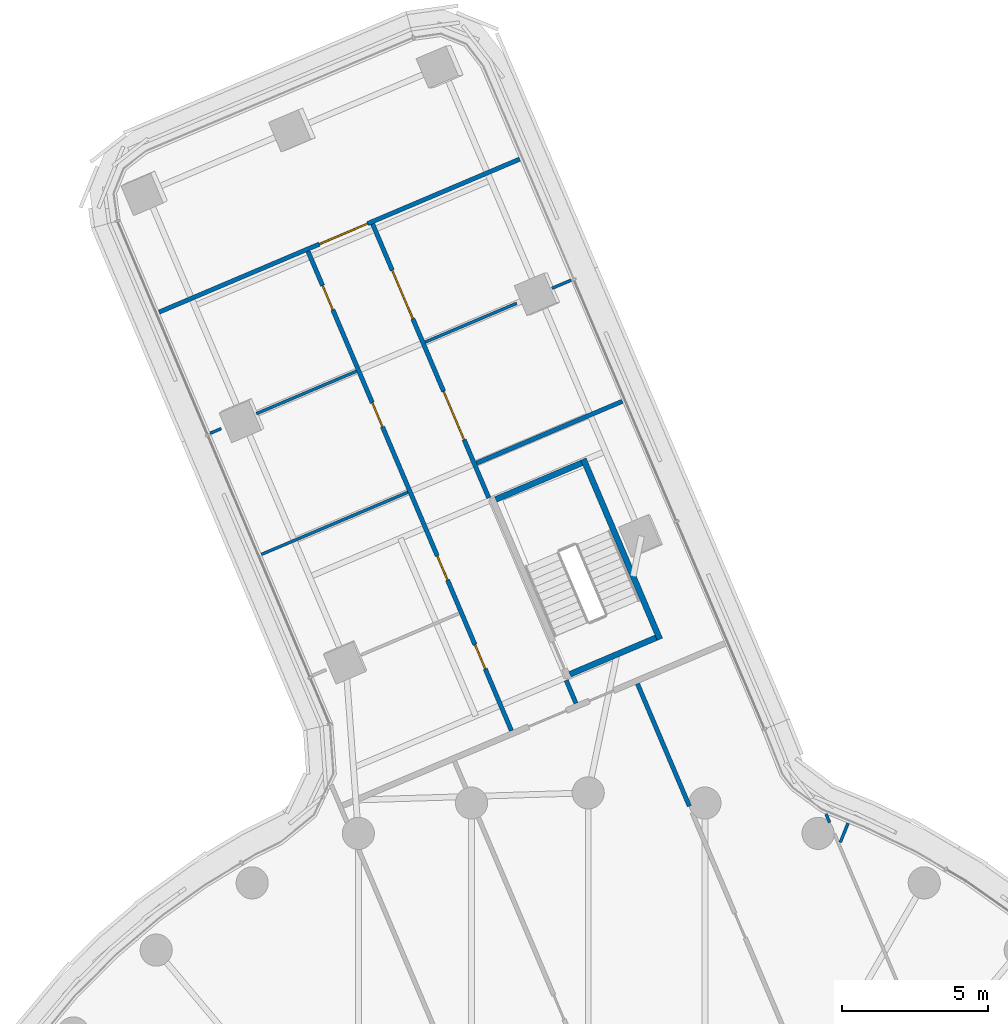
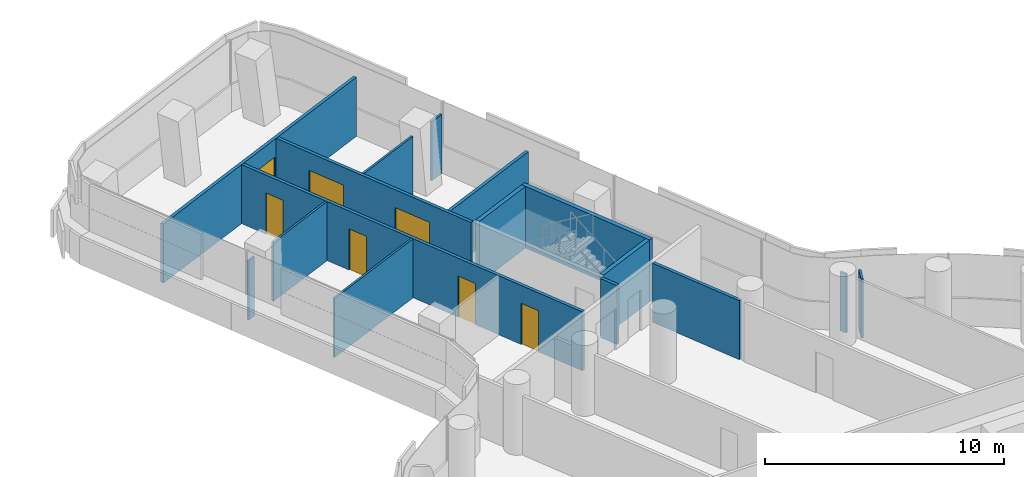
# One storey, part 26 of 35: 16 walls, 7 doors, 7 openings.
"""IFC4 building model written with IfcOpenShell, lengths in metres."""

from ifc_helpers import new_model, si_unit, direction, frame, frame_2d, origin, place, context, subcontext, project, spatial, polyline, rectangle, outline, extrude, material, layer, layer_set, type_object, element, fill, save


model = new_model("IFC4")

# Units and contexts
model_context = context("Model", 3, precision=1e-05, world=origin(), true_north=direction((0.0, 1.0)))
body_context = subcontext(model_context, "Body", "Model", "MODEL_VIEW")
ifc_project = project(units=[si_unit("LENGTHUNIT", "METRE"), si_unit("AREAUNIT", "SQUARE_METRE"), si_unit("VOLUMEUNIT", "CUBIC_METRE"), si_unit("PLANEANGLEUNIT", "RADIAN"), si_unit("MASSUNIT", "GRAM", prefix="KILO")], contexts=[model_context])

# Site, building, storey
site_placement = place(None, origin())
site = spatial("IfcSite", under=ifc_project, at=site_placement, CompositionType="ELEMENT")
building_placement = place(site_placement, origin())
building = spatial("IfcBuilding", under=site, at=building_placement, Name="Tamarind Cross Interchange Tower", CompositionType="ELEMENT")
storey_placement = place(building_placement, frame((0.0, 0.0, 117.25)))
storey = spatial("IfcBuildingStorey", under=building, at=storey_placement, Name="L28", CompositionType="ELEMENT", Elevation=117.25)

# Walls
ifc_material_1 = material(Name="Gypsum board partition on steel studs", Category="steel")
ifc_layer_1 = layer(ifc_material_1, 0.10009765625)
ifc_layer_set_1 = layer_set([ifc_layer_1], Name="Gypsum board partition on steel studs")
wall_type_1 = type_object("IfcWallType", Name="Partition 100 mm EI 90", PredefinedType="PARTITIONING", material=ifc_layer_set_1)
wall_1_placement = place(storey_placement, frame((8.138427734375, 22.275146484375, 0.0), z_axis=(0.0, 0.0, 1.0), x_axis=(0.390313983978, -0.920681809265, 0.0)))
element("IfcWall", 1, at=wall_1_placement, inside=storey, type_object=wall_type_1, Name="Partition L28-027", PredefinedType="PARTITIONING", context=body_context, shape_type="SweptSolid", body=[
    extrude(rectangle(XDim=0.319091796875, YDim=0.10009765625, at=frame_2d((0.15966796875, 0.0))), origin(), (0.0, 0.0, 1.0), 3.010009765625),
])
wall_2_placement = place(storey_placement, frame((-12.935302734375, 35.305419921875, 0.0), z_axis=(0.0, 0.0, 1.0), x_axis=(0.920711751609, 0.390243347733, 0.0)))
element("IfcWall", 2, at=wall_2_placement, inside=storey, type_object=wall_type_1, Name="Partition L28-051", PredefinedType="PARTITIONING", context=body_context, shape_type="SweptSolid", body=[
    extrude(rectangle(XDim=0.4091796875, YDim=0.10009765625, at=frame_2d((0.20458984375, 0.0))), origin(), (0.0, 0.0, 1.0), 3.010009765625),
])
wall_3_placement = place(storey_placement, frame((-11.35546875, 35.975341796875, 0.0), z_axis=(0.0, 0.0, 1.0), x_axis=(0.920611079617, 0.390480780688, 0.0)))
element("IfcWall", 3, at=wall_3_placement, inside=storey, type_object=wall_type_1, Name="Partition L28-052", PredefinedType="PARTITIONING", context=body_context, shape_type="SweptSolid", body=[
    extrude(rectangle(XDim=3.721923828125, YDim=0.10009765625, at=frame_2d((1.86083984375, 0.0))), origin(), (0.0, 0.0, 1.0), 3.010009765625),
])
wall_4_placement = place(storey_placement, frame((-5.577392578125, 38.42626953125, 0.0), z_axis=(0.0, 0.0, 1.0), x_axis=(0.920627129248, 0.390442939355, 0.0)))
element("IfcWall", 4, at=wall_4_placement, inside=storey, type_object=wall_type_1, Name="Partition L28-053", PredefinedType="PARTITIONING", context=body_context, shape_type="SweptSolid", body=[
    extrude(rectangle(XDim=3.401611328125, YDim=0.10009765625, at=frame_2d((1.70068359375, 0.0))), origin(), (0.0, 0.0, 1.0), 3.010009765625),
])
wall_5_placement = place(storey_placement, frame((-1.24267578125, 40.264892578125, 0.0), z_axis=(0.0, 0.0, 1.0), x_axis=(0.92070151159, 0.390267506405, 0.0)))
element("IfcWall", 5, at=wall_5_placement, inside=storey, type_object=wall_type_1, Name="Partition L28-054", PredefinedType="PARTITIONING", context=body_context, shape_type="SweptSolid", body=[
    extrude(rectangle(XDim=0.710693359375, YDim=0.10009765625, at=frame_2d((0.35546875, 0.0))), origin(), (0.0, 0.0, 1.0), 3.010009765625),
])
wall_6_placement = place(storey_placement, frame((-11.184814453125, 31.159423828125, 0.0), z_axis=(0.0, 0.0, 1.0), x_axis=(0.920606693686, 0.390491120949, 0.0)))
element("IfcWall", 6, at=wall_6_placement, inside=storey, type_object=wall_type_1, Name="Partition L28-056", PredefinedType="PARTITIONING", context=body_context, shape_type="SweptSolid", body=[
    extrude(rectangle(XDim=5.445068359375, YDim=0.10009765625, at=frame_2d((2.72265625, 0.0))), origin(), (0.0, 0.0, 1.0), 3.010009765625),
])
wall_7_placement = place(storey_placement, frame((8.626708984375, 21.307373046875, 0.0), z_axis=(0.0, 0.0, 1.0), x_axis=(0.375263513238, 0.926918170947, 0.0)))
element("IfcWall", 7, at=wall_7_placement, inside=storey, type_object=wall_type_1, Name="Partition L28-086", PredefinedType="PARTITIONING", context=body_context, shape_type="SweptSolid", body=[
    extrude(rectangle(XDim=0.705810546875, YDim=0.10009765625, at=frame_2d((0.35302734375, 0.0))), origin(), (0.0, 0.0, 1.0), 3.010009765625),
])

# Wall, openings, doors
ifc_layer_2 = layer(ifc_material_1, 0.14990234375)
ifc_layer_set_2 = layer_set([ifc_layer_2], Name="Gypsum board partition on steel studs")
wall_type_2 = type_object("IfcWallType", Name="Partition 150 mm EI 120", PredefinedType="PARTITIONING", material=ifc_layer_set_2)
wall_8_placement = place(storey_placement, frame((-9.588623046875, 41.531982421875, 0.0), z_axis=(0.0, 0.0, 1.0), x_axis=(0.390623027628, -0.920550732055, 0.0)))
wall_8 = element("IfcWall", 8, at=wall_8_placement, inside=storey, type_object=wall_type_2, Name="Partition L28-007", PredefinedType="PARTITIONING", context=body_context, shape_type="SweptSolid", body=[
    extrude(rectangle(XDim=17.820068359375, YDim=0.14990234375, at=frame_2d((8.91015625, 0.0))), origin(), (0.0, 0.0, 1.0), 3.010009765625),
])
opening_1_placement = place(wall_8_placement, frame((14.6259765625, 0.0, 0.0)))
opening_1 = element("IfcOpeningElement", 9, at=opening_1_placement, cuts=wall_8, Name="Opening D03", PredefinedType="OPENING", context=body_context, shape_type="SweptSolid", body=[
    extrude(rectangle(XDim=0.89990234375, YDim=2.10009765625, at=frame_2d((0.449951171875, 1.050048828125))), frame((0.0, 0.0849609375, 0.0), z_axis=(0.0, -1.0, 0.0), x_axis=(1.0, 0.0, 0.0)), (0.0, 0.0, 1.0), 0.169921875),
])
opening_2_placement = place(wall_8_placement, frame((11.32568359375, 0.0, 0.0)))
opening_2 = element("IfcOpeningElement", 10, at=opening_2_placement, cuts=wall_8, Name="Opening D04", PredefinedType="OPENING", context=body_context, shape_type="SweptSolid", body=[
    extrude(rectangle(XDim=0.89990234375, YDim=2.10009765625, at=frame_2d((0.449951171875, 1.050048828125))), frame((0.0, 0.0849609375, 0.0), z_axis=(0.0, -1.0, 0.0), x_axis=(1.0, 0.0, 0.0)), (0.0, 0.0, 1.0), 0.169921875),
])
opening_3_placement = place(wall_8_placement, frame((5.62548828125, 0.0, 0.0)))
opening_3 = element("IfcOpeningElement", 11, at=opening_3_placement, cuts=wall_8, Name="Opening D05", PredefinedType="OPENING", context=body_context, shape_type="SweptSolid", body=[
    extrude(rectangle(XDim=0.89990234375, YDim=2.10009765625, at=frame_2d((0.449951171875, 1.050048828125))), frame((0.0, 0.0849609375, 0.0), z_axis=(0.0, -1.0, 0.0), x_axis=(1.0, 0.0, 0.0)), (0.0, 0.0, 1.0), 0.169921875),
])
opening_4_placement = place(wall_8_placement, frame((1.27490234375, 0.0, 0.0)))
opening_4 = element("IfcOpeningElement", 12, at=opening_4_placement, cuts=wall_8, Name="Opening D06", PredefinedType="OPENING", context=body_context, shape_type="SweptSolid", body=[
    extrude(rectangle(XDim=0.89990234375, YDim=2.10009765625, at=frame_2d((0.449951171875, 1.050048828125))), frame((0.0, 0.0849609375, 0.0), z_axis=(0.0, -1.0, 0.0), x_axis=(1.0, 0.0, 0.0)), (0.0, 0.0, 1.0), 0.169921875),
])
ifc_material_2 = material(Name="Fire-resisting door set")
door_type_1 = type_object("IfcDoorType", Name="Interior door 900 x 2100 FD60S", OperationType="SINGLE_SWING_LEFT", PredefinedType="DOOR", material=ifc_material_2)
door_1_placement = place(opening_1_placement, frame((0.89990234375, 0.0, 0.0), z_axis=(0.0, 0.0, 1.0), x_axis=(-1.0, 0.0, 0.0)))
door_1 = element("IfcDoor", 13, at=door_1_placement, inside=storey, type_object=door_type_1, Name="Door D03", OperationType="SINGLE_SWING_RIGHT", OverallHeight=2.10009765625, OverallWidth=0.89990234375, PredefinedType="DOOR", context=body_context, shape_type="SweptSolid", body=[
    extrude(rectangle(XDim=0.89990234375, YDim=2.10009765625, at=frame_2d((0.449951171875, 1.050048828125))), frame((0.0, 0.02490234375, 0.0), z_axis=(0.0, -1.0, 0.0), x_axis=(1.0, 0.0, 0.0)), (0.0, 0.0, 1.0), 0.050048828125),
])
fill(opening_1, door_1)
door_2_placement = place(opening_2_placement, frame((0.89990234375, 0.0, 0.0), z_axis=(0.0, 0.0, 1.0), x_axis=(-1.0, 0.0, 0.0)))
door_2 = element("IfcDoor", 14, at=door_2_placement, inside=storey, type_object=door_type_1, Name="Door D04", OperationType="SINGLE_SWING_RIGHT", OverallHeight=2.10009765625, OverallWidth=0.89990234375, PredefinedType="DOOR", context=body_context, shape_type="SweptSolid", body=[
    extrude(rectangle(XDim=0.89990234375, YDim=2.10009765625, at=frame_2d((0.449951171875, 1.050048828125))), frame((0.0, 0.02490234375, 0.0), z_axis=(0.0, -1.0, 0.0), x_axis=(1.0, 0.0, 0.0)), (0.0, 0.0, 1.0), 0.050048828125),
])
fill(opening_2, door_2)
door_3_placement = place(opening_3_placement, frame((0.89990234375, 0.0, 0.0), z_axis=(0.0, 0.0, 1.0), x_axis=(-1.0, 0.0, 0.0)))
door_3 = element("IfcDoor", 15, at=door_3_placement, inside=storey, type_object=door_type_1, Name="Door D05", OperationType="SINGLE_SWING_LEFT", OverallHeight=2.10009765625, OverallWidth=0.89990234375, PredefinedType="DOOR", context=body_context, shape_type="SweptSolid", body=[
    extrude(rectangle(XDim=0.89990234375, YDim=2.10009765625, at=frame_2d((0.449951171875, 1.050048828125))), frame((0.0, 0.02490234375, 0.0), z_axis=(0.0, -1.0, 0.0), x_axis=(1.0, 0.0, 0.0)), (0.0, 0.0, 1.0), 0.050048828125),
])
fill(opening_3, door_3)
door_4_placement = place(opening_4_placement, frame((0.89990234375, 0.0, 0.0), z_axis=(0.0, 0.0, 1.0), x_axis=(-1.0, 0.0, 0.0)))
door_4 = element("IfcDoor", 16, at=door_4_placement, inside=storey, type_object=door_type_1, Name="Door D06", OperationType="SINGLE_SWING_LEFT", OverallHeight=2.10009765625, OverallWidth=0.89990234375, PredefinedType="DOOR", context=body_context, shape_type="SweptSolid", body=[
    extrude(rectangle(XDim=0.89990234375, YDim=2.10009765625, at=frame_2d((0.449951171875, 1.050048828125))), frame((0.0, 0.02490234375, 0.0), z_axis=(0.0, -1.0, 0.0), x_axis=(1.0, 0.0, 0.0)), (0.0, 0.0, 1.0), 0.050048828125),
])
fill(opening_4, door_4)

wall_9_placement = place(storey_placement, frame((-7.378662109375, 42.468994140625, 0.0), z_axis=(0.0, 0.0, 1.0), x_axis=(0.390479669011, -0.920611551138, 0.0)))
wall_9 = element("IfcWall", 17, at=wall_9_placement, inside=storey, type_object=wall_type_2, Name="Partition L28-012", PredefinedType="PARTITIONING", context=body_context, shape_type="SweptSolid", body=[
    extrude(rectangle(XDim=10.18505859375, YDim=0.14990234375, at=frame_2d((5.092529296875, 0.0))), origin(), (0.0, 0.0, 1.0), 3.010009765625),
])
opening_5_placement = place(wall_9_placement, frame((6.22509765625, 0.0, 0.0)))
opening_5 = element("IfcOpeningElement", 18, at=opening_5_placement, cuts=wall_9, Name="Opening D08", PredefinedType="OPENING", context=body_context, shape_type="SweptSolid", body=[
    extrude(rectangle(XDim=1.800048828125, YDim=2.10009765625, at=frame_2d((0.89990234375, 1.050048828125))), frame((0.0, 0.0849609375, 0.0), z_axis=(0.0, -1.0, 0.0), x_axis=(1.0, 0.0, 0.0)), (0.0, 0.0, 1.0), 0.169921875),
])
opening_6_placement = place(wall_9_placement, frame((1.72509765625, 0.0, 0.0)))
opening_6 = element("IfcOpeningElement", 19, at=opening_6_placement, cuts=wall_9, Name="Opening D09", PredefinedType="OPENING", context=body_context, shape_type="SweptSolid", body=[
    extrude(rectangle(XDim=1.800048828125, YDim=2.10009765625, at=frame_2d((0.89990234375, 1.050048828125))), frame((0.0, 0.0849609375, 0.0), z_axis=(0.0, -1.0, 0.0), x_axis=(1.0, 0.0, 0.0)), (0.0, 0.0, 1.0), 0.169921875),
])
door_type_2 = type_object("IfcDoorType", Name="Interior door 1800 x 2100 FD60S", OperationType="DOUBLE_DOOR_SINGLE_SWING", PredefinedType="DOOR", material=ifc_material_2)
door_5_placement = place(opening_5_placement, origin())
door_5 = element("IfcDoor", 20, at=door_5_placement, inside=storey, type_object=door_type_2, Name="Door D08", OperationType="DOUBLE_DOOR_SINGLE_SWING", OverallHeight=2.10009765625, OverallWidth=1.800048828125, PredefinedType="DOOR", context=body_context, shape_type="SweptSolid", body=[
    extrude(rectangle(XDim=1.800048828125, YDim=2.10009765625, at=frame_2d((0.89990234375, 1.050048828125))), frame((0.0, 0.02490234375, 0.0), z_axis=(0.0, -1.0, 0.0), x_axis=(1.0, 0.0, 0.0)), (0.0, 0.0, 1.0), 0.050048828125),
])
fill(opening_5, door_5)
door_6_placement = place(opening_6_placement, origin())
door_6 = element("IfcDoor", 21, at=door_6_placement, inside=storey, type_object=door_type_2, Name="Door D09", OperationType="DOUBLE_DOOR_SINGLE_SWING", OverallHeight=2.10009765625, OverallWidth=1.800048828125, PredefinedType="DOOR", context=body_context, shape_type="SweptSolid", body=[
    extrude(rectangle(XDim=1.800048828125, YDim=2.10009765625, at=frame_2d((0.89990234375, 1.050048828125))), frame((0.0, 0.02490234375, 0.0), z_axis=(0.0, -1.0, 0.0), x_axis=(1.0, 0.0, 0.0)), (0.0, 0.0, 1.0), 0.050048828125),
])
fill(opening_6, door_6)

# Walls
wall_10_placement = place(storey_placement, frame((-0.754150390625, 26.851318359375, 0.0), z_axis=(0.0, 0.0, 1.0), x_axis=(0.390645109707, -0.920541361516, 0.0)))
element("IfcWall", 22, at=wall_10_placement, inside=storey, type_object=wall_type_2, Name="Partition L28-013", PredefinedType="PARTITIONING", context=body_context, shape_type="SweptSolid", body=[
    extrude(rectangle(XDim=0.85546875, YDim=0.14990234375, at=frame_2d((0.427734375, 0.0))), origin(), (0.0, 0.0, 1.0), 3.010009765625),
])
wall_11_placement = place(storey_placement, frame((1.68505859375, 26.73388671875, 0.0), z_axis=(0.0, 0.0, 1.0), x_axis=(0.390486499232, -0.920608654053, 0.0)))
element("IfcWall", 23, at=wall_11_placement, inside=storey, type_object=wall_type_2, Name="Partition L28-020", PredefinedType="PARTITIONING", context=body_context, shape_type="SweptSolid", body=[
    extrude(rectangle(XDim=4.552978515625, YDim=0.14990234375, at=frame_2d((2.2763671875, 0.0))), origin(), (0.0, 0.0, 1.0), 3.010009765625),
])

# Wall, opening, door
wall_12_placement = place(storey_placement, frame((-14.685546875, 39.451171875, 0.0), z_axis=(0.0, 0.0, 1.0), x_axis=(0.920588727272, 0.390533475158, 0.0)))
wall_12 = element("IfcWall", 24, at=wall_12_placement, inside=storey, type_object=wall_type_2, Name="Partition L28-050", PredefinedType="PARTITIONING", context=body_context, shape_type="SweptSolid", body=[
    extrude(rectangle(XDim=13.40380859375, YDim=0.14990234375, at=frame_2d((6.701904296875, 0.0))), origin(), (0.0, 0.0, 1.0), 3.010009765625),
])
opening_7_placement = place(wall_12_placement, frame((5.95458984375, 0.0, 0.0)))
opening_7 = element("IfcOpeningElement", 25, at=opening_7_placement, cuts=wall_12, Name="Opening D31", PredefinedType="OPENING", context=body_context, shape_type="SweptSolid", body=[
    extrude(rectangle(XDim=1.800048828125, YDim=2.10009765625, at=frame_2d((0.89990234375, 1.050048828125))), frame((0.0, 0.0849609375, 0.0), z_axis=(0.0, -1.0, 0.0), x_axis=(1.0, 0.0, 0.0)), (0.0, 0.0, 1.0), 0.169921875),
])
door_7_placement = place(opening_7_placement, origin())
door_7 = element("IfcDoor", 26, at=door_7_placement, inside=storey, type_object=door_type_2, Name="Door D31", OperationType="DOUBLE_DOOR_SINGLE_SWING", OverallHeight=2.10009765625, OverallWidth=1.800048828125, PredefinedType="DOOR", context=body_context, shape_type="SweptSolid", body=[
    extrude(rectangle(XDim=1.800048828125, YDim=2.10009765625, at=frame_2d((0.89990234375, 1.050048828125))), frame((0.0, 0.02490234375, 0.0), z_axis=(0.0, -1.0, 0.0), x_axis=(1.0, 0.0, 0.0)), (0.0, 0.0, 1.0), 0.050048828125),
])
fill(opening_7, door_7)

# Walls
wall_13_placement = place(storey_placement, frame((-3.8203125, 34.283203125, 0.0), z_axis=(0.0, 0.0, 1.0), x_axis=(0.920604358111, 0.390496627165, 0.0)))
element("IfcWall", 27, at=wall_13_placement, inside=storey, type_object=wall_type_2, Name="Partition L28-057", PredefinedType="PARTITIONING", context=body_context, shape_type="SweptSolid", body=[
    extrude(rectangle(XDim=5.419189453125, YDim=0.14990234375, at=frame_2d((2.70947265625, 0.0))), origin(), (0.0, 0.0, 1.0), 3.010009765625),
])
ifc_material_3 = material(Name="Concrete C40", Category="concrete")
ifc_layer_3 = layer(ifc_material_3, 0.199951171875)
ifc_layer_set_3 = layer_set([ifc_layer_3], Name="Concrete C40")
wall_type_3 = type_object("IfcWallType", Name="Stair shaft wall 200 mm Concrete C40", PredefinedType="SHEAR", material=ifc_layer_set_3)
wall_14_placement = place(storey_placement, frame((2.452392578125, 28.254150390625, -0.139892578125), z_axis=(0.0, 0.0, 1.0), x_axis=(-0.390473112338, 0.92061433214, 0.0)))
element("IfcWall", 28, at=wall_14_placement, inside=storey, type_object=wall_type_3, Name="Core wall CWL-L28-ST4-C", PredefinedType="SHEAR", context=body_context, shape_type="SweptSolid", body=[
    extrude(rectangle(XDim=6.7001953125, YDim=0.199951171875, at=frame_2d((3.35009765625, 0.0))), origin(), (0.0, 0.0, 1.0), 3.14990234375),
])
wall_15_placement = place(storey_placement, frame((2.3212890625, 28.307373046875, -0.139892578125), z_axis=(0.0, 0.0, 1.0), x_axis=(-0.920579288157, -0.390555724853, 0.0)))
element("IfcWall", 29, at=wall_15_placement, inside=storey, type_object=wall_type_3, Name="Core wall CWL-L28-ST4-CE", PredefinedType="SHEAR", context=body_context, shape_type="SweptSolid", body=[
    extrude(rectangle(XDim=3.199951171875, YDim=0.199951171875, at=frame_2d((1.60009765625, 0.0))), origin(), (0.0, 0.0, 1.0), 3.14990234375),
])
wall_16_placement = place(storey_placement, frame((0.0, 0.0, -0.139892578125)))
element("IfcWall", 30, at=wall_16_placement, inside=storey, type_object=wall_type_3, Name="Core wall CWL-L28-ST4-CF", PredefinedType="SHEAR", context=body_context, shape_type="SweptSolid", body=[
    extrude(outline(polyline([(-0.177978515625, 34.19921875), (-0.256103515625, 34.38330078125), (-3.201904296875, 33.133544921875), (-3.123779296875, 32.949462890625), (-0.177978515625, 34.19921875)])), origin(), (0.0, 0.0, 1.0), 3.14990234375),
])

save(model, "model.ifc")
